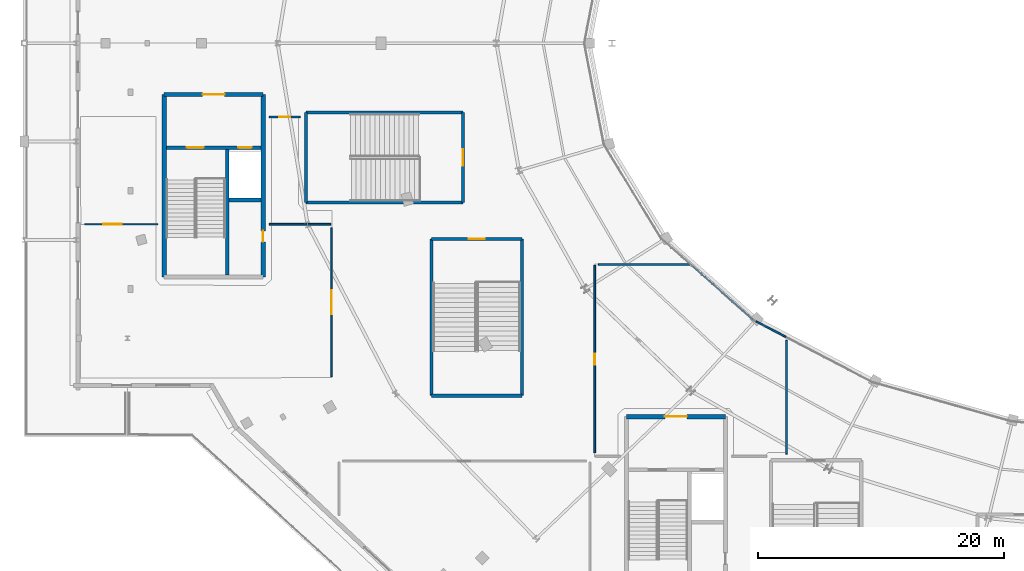
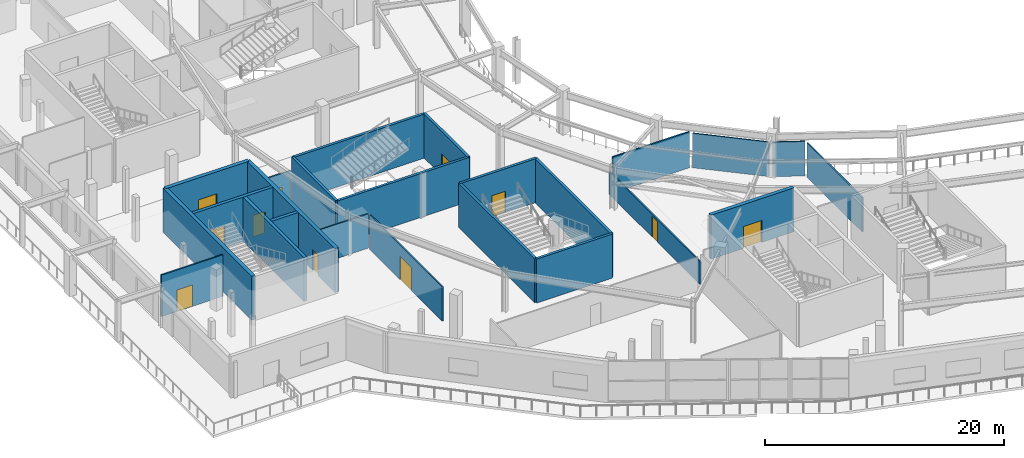
# One storey, part 75 of 107: 24 walls, 11 doors, 11 openings.
"""IFC4 building model written with IfcOpenShell, lengths in metres."""

from ifc_helpers import new_model, si_unit, direction, frame, frame_2d, origin, place, context, subcontext, project, spatial, rectangle, extrude, material, layer, layer_set, type_object, element, fill, save


model = new_model("IFC4")

# Units and contexts
model_context = context("Model", 3, precision=1e-05, world=origin(), true_north=direction((0.0, 1.0)))
body_context = subcontext(model_context, "Body", "Model", "MODEL_VIEW")
ifc_project = project(units=[si_unit("LENGTHUNIT", "METRE"), si_unit("AREAUNIT", "SQUARE_METRE"), si_unit("VOLUMEUNIT", "CUBIC_METRE"), si_unit("PLANEANGLEUNIT", "RADIAN"), si_unit("MASSUNIT", "GRAM", prefix="KILO")], contexts=[model_context])

# Site, building, storey
site_placement = place(None, origin())
site = spatial("IfcSite", under=ifc_project, at=site_placement, CompositionType="ELEMENT")
building_placement = place(site_placement, origin())
building = spatial("IfcBuilding", under=site, at=building_placement, Name="Kalgoora Escarpment Arena", CompositionType="ELEMENT")
storey_placement = place(building_placement, frame((0.0, 0.0, 5.39990234375)))
storey = spatial("IfcBuildingStorey", under=building, at=storey_placement, Name="L01", CompositionType="ELEMENT", Elevation=5.39990234375)

# Wall, opening, door
ifc_material_1 = material(Name="Concrete N50 (fc' 50 MPa)", Category="concrete")
ifc_layer_1 = layer(ifc_material_1, 0.35009765625)
ifc_layer_set_1 = layer_set([ifc_layer_1], Name="WAL-CORE-350")
wall_type_1 = type_object("IfcWallType", Name="WAL-CORE-350", PredefinedType="SHEAR", material=ifc_layer_set_1)
wall_1_placement = place(storey_placement, frame((11.375, 59.824951171875, 0.0), z_axis=(0.0, 0.0, 1.0), x_axis=(1.0, 0.0, 0.0)))
wall_1 = element("IfcWall", 1, at=wall_1_placement, inside=storey, type_object=wall_type_1, Name="Core C2 L01 north lobby wall", PredefinedType="SHEAR", context=body_context, shape_type="SweptSolid", body=[
    extrude(rectangle(XDim=8.050048828125, YDim=0.35009765625, at=frame_2d((4.02490234375, 0.0))), origin(), (0.0, 0.0, 1.0), 4.5),
])
opening_1_placement = place(wall_1_placement, frame((3.125, 0.0, 0.0)))
opening_1 = element("IfcOpeningElement", 2, at=opening_1_placement, cuts=wall_1, Name="Opening FD-C2L", PredefinedType="OPENING", context=body_context, shape_type="SweptSolid", body=[
    extrude(rectangle(XDim=1.800048828125, YDim=2.25, at=frame_2d((0.89990234375, 1.125))), frame((0.0, 0.18505859375, 0.0), z_axis=(0.0, -1.0, 0.0), x_axis=(1.0, 0.0, 0.0)), (0.0, 0.0, 1.0), 0.3701171875),
])
ifc_material_2 = material(Name="Double fire-rated smoke-seal lobby door")
door_type_1 = type_object("IfcDoorType", Name="DR-LOBBY-1800", OperationType="NOTDEFINED", PredefinedType="DOOR", material=ifc_material_2)
door_1_placement = place(opening_1_placement, origin())
door_1 = element("IfcDoor", 3, at=door_1_placement, inside=storey, type_object=door_type_1, Name="Core C2 L01 smoke-lobby fire door", OperationType="DOUBLE_DOOR_SINGLE_SWING", OverallHeight=2.25, OverallWidth=1.800048828125, PredefinedType="DOOR", context=body_context, shape_type="SweptSolid", body=[
    extrude(rectangle(XDim=1.800048828125, YDim=2.25, at=frame_2d((0.89990234375, 1.125))), frame((0.0, 0.02490234375, 0.0), z_axis=(0.0, -1.0, 0.0), x_axis=(1.0, 0.0, 0.0)), (0.0, 0.0, 1.0), 0.050048828125),
])
fill(opening_1, door_1)

# Wall
wall_2_placement = place(storey_placement, frame((11.375, 44.97509765625, 0.0), z_axis=(0.0, 0.0, 1.0), x_axis=(0.0, 1.0, 0.0)))
element("IfcWall", 4, at=wall_2_placement, inside=storey, type_object=wall_type_1, Name="Core C2 L01 west shear wall", PredefinedType="SHEAR", context=body_context, shape_type="SweptSolid", body=[
    extrude(rectangle(XDim=14.849853515625, YDim=0.35009765625, at=frame_2d((7.4248046875, 0.0))), origin(), (0.0, 0.0, 1.0), 4.5),
])

# Wall, opening, door
wall_3_placement = place(storey_placement, frame((19.425048828125, 44.97509765625, 0.0), z_axis=(0.0, 0.0, 1.0), x_axis=(0.0, 1.0, 0.0)))
wall_3 = element("IfcWall", 5, at=wall_3_placement, inside=storey, type_object=wall_type_1, Name="Core C2 L01 east shear wall", PredefinedType="SHEAR", context=body_context, shape_type="SweptSolid", body=[
    extrude(rectangle(XDim=14.849853515625, YDim=0.35009765625, at=frame_2d((7.4248046875, 0.0))), origin(), (0.0, 0.0, 1.0), 4.5),
])
opening_2_placement = place(wall_3_placement, frame((2.85498046875, 0.0, 0.0)))
opening_2 = element("IfcOpeningElement", 6, at=opening_2_placement, cuts=wall_3, Name="Opening FD-C2R", PredefinedType="OPENING", context=body_context, shape_type="SweptSolid", body=[
    extrude(rectangle(XDim=0.89990234375, YDim=2.10009765625, at=frame_2d((0.449951171875, 1.050048828125))), frame((0.0, 0.18505859375, 0.0), z_axis=(0.0, -1.0, 0.0), x_axis=(1.0, 0.0, 0.0)), (0.0, 0.0, 1.0), 0.3701171875),
])
ifc_material_3 = material(Name="Fire-rated steel riser access door", Category="steel")
door_type_2 = type_object("IfcDoorType", Name="DR-RISER-0900", OperationType="NOTDEFINED", PredefinedType="DOOR", material=ifc_material_3)
door_2_placement = place(opening_2_placement, origin())
door_2 = element("IfcDoor", 7, at=door_2_placement, inside=storey, type_object=door_type_2, Name="Core C2 L01 riser cupboard access door", OperationType="SINGLE_SWING_RIGHT", OverallHeight=2.10009765625, OverallWidth=0.89990234375, PredefinedType="DOOR", context=body_context, shape_type="SweptSolid", body=[
    extrude(rectangle(XDim=0.89990234375, YDim=2.10009765625, at=frame_2d((0.449951171875, 1.050048828125))), frame((0.0, 0.02490234375, 0.0), z_axis=(0.0, -1.0, 0.0), x_axis=(1.0, 0.0, 0.0)), (0.0, 0.0, 1.0), 0.050048828125),
])
fill(opening_2, door_2)

wall_4_placement = place(storey_placement, frame((48.97509765625, 33.625, 0.0), z_axis=(0.0, 0.0, 1.0), x_axis=(1.0, 0.0, 0.0)))
wall_4 = element("IfcWall", 8, at=wall_4_placement, inside=storey, type_object=wall_type_1, Name="Core C5 L01 north lobby wall", PredefinedType="SHEAR", context=body_context, shape_type="SweptSolid", body=[
    extrude(rectangle(XDim=8.0498046875, YDim=0.35009765625, at=frame_2d((4.02490234375, 0.0))), origin(), (0.0, 0.0, 1.0), 4.5),
])
opening_3_placement = place(wall_4_placement, frame((3.125, 0.0, 0.0)))
opening_3 = element("IfcOpeningElement", 9, at=opening_3_placement, cuts=wall_4, Name="Opening FD-C5L", PredefinedType="OPENING", context=body_context, shape_type="SweptSolid", body=[
    extrude(rectangle(XDim=1.800048828125, YDim=2.25, at=frame_2d((0.89990234375, 1.125))), frame((0.0, 0.18505859375, 0.0), z_axis=(0.0, -1.0, 0.0), x_axis=(1.0, 0.0, 0.0)), (0.0, 0.0, 1.0), 0.3701171875),
])
door_3_placement = place(opening_3_placement, origin())
door_3 = element("IfcDoor", 10, at=door_3_placement, inside=storey, type_object=door_type_1, Name="Core C5 L01 smoke-lobby fire door", OperationType="DOUBLE_DOOR_SINGLE_SWING", OverallHeight=2.25, OverallWidth=1.800048828125, PredefinedType="DOOR", context=body_context, shape_type="SweptSolid", body=[
    extrude(rectangle(XDim=1.800048828125, YDim=2.25, at=frame_2d((0.89990234375, 1.125))), frame((0.0, 0.02490234375, 0.0), z_axis=(0.0, -1.0, 0.0), x_axis=(1.0, 0.0, 0.0)), (0.0, 0.0, 1.0), 0.050048828125),
])
fill(opening_3, door_3)

ifc_material_4 = material(Name="Hospitality acoustic drywall partition", Category="gypsum")
ifc_layer_2 = layer(ifc_material_4, 0.135009765625)
ifc_layer_set_2 = layer_set([ifc_layer_2], Name="WAL-DIN-135")
wall_type_2 = type_object("IfcWallType", Name="WAL-DIN-135", PredefinedType="PARTITIONING", material=ifc_layer_set_2)
wall_5_placement = place(storey_placement, frame((4.89990234375, 49.27490234375, 0.0), z_axis=(0.0, 0.0, 1.0), x_axis=(1.0, 0.0, 0.0)))
wall_5 = element("IfcWall", 11, at=wall_5_placement, inside=storey, type_object=wall_type_2, Name="L01 Arena Cafe partition wall", PredefinedType="PARTITIONING", context=body_context, shape_type="SweptSolid", body=[
    extrude(rectangle(XDim=5.97509765625, YDim=0.135009765625, at=frame_2d((2.987548828125, 0.0))), origin(), (0.0, 0.0, 1.0), 4.25),
])
opening_4_placement = place(wall_5_placement, frame((1.521484375, 0.0, 0.0)))
opening_4 = element("IfcOpeningElement", 12, at=opening_4_placement, cuts=wall_5, Name="Opening FD-I056", PredefinedType="OPENING", context=body_context, shape_type="SweptSolid", body=[
    extrude(rectangle(XDim=1.5, YDim=2.199951171875, at=frame_2d((0.75, 1.10009765625))), frame((0.0, 0.077392578125, 0.0), z_axis=(0.0, -1.0, 0.0), x_axis=(1.0, 0.0, 0.0)), (0.0, 0.0, 1.0), 0.155029296875),
])
ifc_material_5 = material(Name="Stainless-clad fire-rated kitchen double door")
door_type_3 = type_object("IfcDoorType", Name="DR-KIT-1500", OperationType="NOTDEFINED", PredefinedType="DOOR", material=ifc_material_5)
door_4_placement = place(opening_4_placement, origin())
door_4 = element("IfcDoor", 13, at=door_4_placement, inside=storey, type_object=door_type_3, Name="Arena Cafe 2 entrance door", OperationType="DOUBLE_DOOR_SINGLE_SWING", OverallHeight=2.199951171875, OverallWidth=1.5, PredefinedType="DOOR", context=body_context, shape_type="SweptSolid", body=[
    extrude(rectangle(XDim=1.5, YDim=2.199951171875, at=frame_2d((0.75, 1.10009765625))), frame((0.0, 0.02490234375, 0.0), z_axis=(0.0, -1.0, 0.0), x_axis=(1.0, 0.0, 0.0)), (0.0, 0.0, 1.0), 0.050048828125),
])
fill(opening_4, door_4)

# Wall
wall_6_placement = place(storey_placement, frame((19.925048828125, 49.27490234375, 0.0), z_axis=(0.0, 0.0, 1.0), x_axis=(1.0, 0.0, 0.0)))
element("IfcWall", 14, at=wall_6_placement, inside=storey, type_object=wall_type_2, Name="L01 Arena Cafe partition wall", PredefinedType="PARTITIONING", context=body_context, shape_type="SweptSolid", body=[
    extrude(rectangle(XDim=4.994873046875, YDim=0.135009765625, at=frame_2d((2.49755859375, 0.0))), origin(), (0.0, 0.0, 1.0), 3.505126953125),
])

# Wall, opening, door
wall_7_placement = place(storey_placement, frame((25.0, 48.990234375, 0.0), z_axis=(0.0, 0.0, 1.0), x_axis=(0.0, -1.0, 0.0)))
wall_7 = element("IfcWall", 15, at=wall_7_placement, inside=storey, type_object=wall_type_2, Name="L01 Arena Cafe partition wall", PredefinedType="PARTITIONING", context=body_context, shape_type="SweptSolid", body=[
    extrude(rectangle(XDim=12.1103515625, YDim=0.135009765625, at=frame_2d((6.05517578125, 0.0))), origin(), (0.0, 0.0, 1.0), 3.51513671875),
])
opening_5_placement = place(wall_7_placement, frame((5.080078125, 0.0, 0.0)))
opening_5 = element("IfcOpeningElement", 16, at=opening_5_placement, cuts=wall_7, Name="Opening FD-I055", PredefinedType="OPENING", context=body_context, shape_type="SweptSolid", body=[
    extrude(rectangle(XDim=1.949951171875, YDim=2.39990234375, at=frame_2d((0.97509765625, 1.199951171875))), frame((0.0, 0.077392578125, 0.0), z_axis=(0.0, -1.0, 0.0), x_axis=(1.0, 0.0, 0.0)), (0.0, 0.0, 1.0), 0.155029296875),
])
ifc_material_6 = material(Name="Glazed champagne-framed hospitality double door")
door_type_4 = type_object("IfcDoorType", Name="DR-CLUB-1950", OperationType="NOTDEFINED", PredefinedType="DOOR", material=ifc_material_6)
door_5_placement = place(opening_5_placement, origin())
door_5 = element("IfcDoor", 17, at=door_5_placement, inside=storey, type_object=door_type_4, Name="Arena Cafe entrance door", OperationType="DOUBLE_DOOR_SINGLE_SWING", OverallHeight=2.39990234375, OverallWidth=1.949951171875, PredefinedType="DOOR", context=body_context, shape_type="SweptSolid", body=[
    extrude(rectangle(XDim=1.949951171875, YDim=2.39990234375, at=frame_2d((0.97509765625, 1.199951171875))), frame((0.0, 0.02490234375, 0.0), z_axis=(0.0, -1.0, 0.0), x_axis=(1.0, 0.0, 0.0)), (0.0, 0.0, 1.0), 0.050048828125),
])
fill(opening_5, door_5)

wall_8_placement = place(storey_placement, frame((19.925048828125, 58.0, 0.0), z_axis=(0.0, 0.0, 1.0), x_axis=(1.0, 0.0, 0.0)))
wall_8 = element("IfcWall", 18, at=wall_8_placement, inside=storey, type_object=wall_type_2, Name="L01 Arena Cafe 3 partition wall", PredefinedType="PARTITIONING", context=body_context, shape_type="SweptSolid", body=[
    extrude(rectangle(XDim=2.5, YDim=0.135009765625, at=frame_2d((1.25, 0.0))), origin(), (0.0, 0.0, 1.0), 3.505126953125),
])
opening_6_placement = place(wall_8_placement, frame((0.800048828125, 0.0, 0.0)))
opening_6 = element("IfcOpeningElement", 19, at=opening_6_placement, cuts=wall_8, Name="Opening FD-I057", PredefinedType="OPENING", context=body_context, shape_type="SweptSolid", body=[
    extrude(rectangle(XDim=0.89990234375, YDim=2.10009765625, at=frame_2d((0.449951171875, 1.050048828125))), frame((0.0, 0.077392578125, 0.0), z_axis=(0.0, -1.0, 0.0), x_axis=(1.0, 0.0, 0.0)), (0.0, 0.0, 1.0), 0.155029296875),
])
door_6_placement = place(opening_6_placement, origin())
door_6 = element("IfcDoor", 20, at=door_6_placement, inside=storey, type_object=door_type_2, Name="Arena Cafe 3 entrance door", OperationType="SINGLE_SWING_RIGHT", OverallHeight=2.10009765625, OverallWidth=0.89990234375, PredefinedType="DOOR", context=body_context, shape_type="SweptSolid", body=[
    extrude(rectangle(XDim=0.89990234375, YDim=2.10009765625, at=frame_2d((0.449951171875, 1.050048828125))), frame((0.0, 0.02490234375, 0.0), z_axis=(0.0, -1.0, 0.0), x_axis=(1.0, 0.0, 0.0)), (0.0, 0.0, 1.0), 0.050048828125),
])
fill(opening_6, door_6)

wall_9_placement = place(storey_placement, frame((46.39990234375, 30.684814453125, 0.0), z_axis=(0.0, 0.0, 1.0), x_axis=(0.0, 1.0, 0.0)))
wall_9 = element("IfcWall", 21, at=wall_9_placement, inside=storey, type_object=wall_type_2, Name="L01 Escarpment Bistro Bar partition wall", PredefinedType="PARTITIONING", context=body_context, shape_type="SweptSolid", body=[
    extrude(rectangle(XDim=15.235107421875, YDim=0.135009765625, at=frame_2d((7.61767578125, 0.0))), origin(), (0.0, 0.0, 1.0), 2.322998046875),
])
opening_7_placement = place(wall_9_placement, frame((7.16748046875, 0.0, 0.0)))
opening_7 = element("IfcOpeningElement", 22, at=opening_7_placement, cuts=wall_9, Name="Opening FD-I059", PredefinedType="OPENING", context=body_context, shape_type="SweptSolid", body=[
    extrude(rectangle(XDim=0.89990234375, YDim=2.10009765625, at=frame_2d((0.449951171875, 1.050048828125))), frame((0.0, 0.077392578125, 0.0), z_axis=(0.0, -1.0, 0.0), x_axis=(1.0, 0.0, 0.0)), (0.0, 0.0, 1.0), 0.155029296875),
])
door_7_placement = place(opening_7_placement, origin())
door_7 = element("IfcDoor", 23, at=door_7_placement, inside=storey, type_object=door_type_2, Name="Escarpment Bistro Bar entrance door", OperationType="SINGLE_SWING_RIGHT", OverallHeight=2.10009765625, OverallWidth=0.89990234375, PredefinedType="DOOR", context=body_context, shape_type="SweptSolid", body=[
    extrude(rectangle(XDim=0.89990234375, YDim=2.10009765625, at=frame_2d((0.449951171875, 1.050048828125))), frame((0.0, 0.02490234375, 0.0), z_axis=(0.0, -1.0, 0.0), x_axis=(1.0, 0.0, 0.0)), (0.0, 0.0, 1.0), 0.050048828125),
])
fill(opening_7, door_7)

# Walls
wall_10_placement = place(storey_placement, frame((46.684814453125, 46.0, 0.0), z_axis=(0.0, 0.0, 1.0), x_axis=(1.0, 0.0, 0.0)))
element("IfcWall", 24, at=wall_10_placement, inside=storey, type_object=wall_type_2, Name="L01 Escarpment Bistro Bar partition wall", PredefinedType="PARTITIONING", context=body_context, shape_type="SweptSolid", body=[
    extrude(rectangle(XDim=7.435546875, YDim=0.135009765625, at=frame_2d((3.7177734375, 0.0))), origin(), (0.0, 0.0, 1.0), 3.68212890625),
])
wall_11_placement = place(storey_placement, frame((54.37548828125, 45.845458984375, 0.0), z_axis=(0.0, 0.0, 1.0), x_axis=(0.749487139649, -0.662018902677, 0.0)))
element("IfcWall", 25, at=wall_11_placement, inside=storey, type_object=wall_type_2, Name="L01 Escarpment Bistro Bar partition wall", PredefinedType="PARTITIONING", context=body_context, shape_type="SweptSolid", body=[
    extrude(rectangle(XDim=6.52294921875, YDim=0.135009765625, at=frame_2d((3.261474609375, 0.0))), origin(), (0.0, 0.0, 1.0), 3.51513671875),
])
wall_12_placement = place(storey_placement, frame((59.5205078125, 41.371826171875, 0.0), z_axis=(0.0, 0.0, 1.0), x_axis=(0.886860370935, -0.462037533611, 0.0)))
element("IfcWall", 26, at=wall_12_placement, inside=storey, type_object=wall_type_2, Name="L01 Escarpment Bistro Bar partition wall", PredefinedType="PARTITIONING", context=body_context, shape_type="SweptSolid", body=[
    extrude(rectangle(XDim=2.716064453125, YDim=0.135009765625, at=frame_2d((1.35791015625, 0.0))), origin(), (0.0, 0.0, 1.0), 3.51513671875),
])
wall_13_placement = place(storey_placement, frame((62.0, 39.828857421875, 0.0), z_axis=(0.0, 0.0, 1.0), x_axis=(0.0, -1.0, 0.0)))
element("IfcWall", 27, at=wall_13_placement, inside=storey, type_object=wall_type_2, Name="L01 Escarpment Bistro Bar partition wall", PredefinedType="PARTITIONING", context=body_context, shape_type="SweptSolid", body=[
    extrude(rectangle(XDim=9.25390625, YDim=0.135009765625, at=frame_2d((4.626953125, 0.0))), origin(), (0.0, 0.0, 1.0), 3.51513671875),
])

# Wall, openings, doors
ifc_material_7 = material(Name="Concrete N50 (fc' 50 MPa)", Category="concrete")
ifc_layer_3 = layer(ifc_material_7, 0.300048828125)
ifc_layer_set_3 = layer_set([ifc_layer_3], Name="WAL-SHAFT-300")
wall_type_3 = type_object("IfcWallType", Name="WAL-SHAFT-300", PredefinedType="SHEAR", material=ifc_layer_set_3)
wall_14_placement = place(storey_placement, frame((11.550048828125, 55.5, 0.0), z_axis=(0.0, 0.0, 1.0), x_axis=(1.0, 0.0, 0.0)))
wall_14 = element("IfcWall", 28, at=wall_14_placement, inside=storey, type_object=wall_type_3, Name="Core C2 L01 lobby shaft wall", PredefinedType="SHEAR", context=body_context, shape_type="SweptSolid", body=[
    extrude(rectangle(XDim=7.699951171875, YDim=0.300048828125, at=frame_2d((3.85009765625, 0.0))), origin(), (0.0, 0.0, 1.0), 4.5),
])
opening_8_placement = place(wall_14_placement, frame((1.64990234375, 0.0, 0.0)))
opening_8 = element("IfcOpeningElement", 29, at=opening_8_placement, cuts=wall_14, Name="Opening FD-ST02", PredefinedType="OPENING", context=body_context, shape_type="SweptSolid", body=[
    extrude(rectangle(XDim=1.39990234375, YDim=2.199951171875, at=frame_2d((0.699951171875, 1.10009765625))), frame((0.0, 0.159912109375, 0.0), z_axis=(0.0, -1.0, 0.0), x_axis=(1.0, 0.0, 0.0)), (0.0, 0.0, 1.0), 0.320068359375),
])
opening_9_placement = place(wall_14_placement, frame((5.85009765625, 0.0, 0.0)))
opening_9 = element("IfcOpeningElement", 30, at=opening_9_placement, cuts=wall_14, Name="Opening LD-EL2", PredefinedType="OPENING", context=body_context, shape_type="SweptSolid", body=[
    extrude(rectangle(XDim=1.10009765625, YDim=2.199951171875, at=frame_2d((0.550048828125, 1.10009765625))), frame((0.0, 0.159912109375, 0.0), z_axis=(0.0, -1.0, 0.0), x_axis=(1.0, 0.0, 0.0)), (0.0, 0.0, 1.0), 0.320068359375),
])
ifc_material_8 = material(Name="Brushed stainless steel sliding lift landing door", Category="steel")
door_type_5 = type_object("IfcDoorType", Name="DR-LD-EL2", OperationType="SLIDING_TO_LEFT", PredefinedType="DOOR", material=ifc_material_8)
door_8_placement = place(opening_9_placement, origin())
door_8 = element("IfcDoor", 31, at=door_8_placement, inside=storey, type_object=door_type_5, Name="Lift EL2 L01 sliding landing door", OperationType="SLIDING_TO_LEFT", OverallHeight=2.199951171875, OverallWidth=1.10009765625, PredefinedType="DOOR", context=body_context, shape_type="SweptSolid", body=[
    extrude(rectangle(XDim=1.10009765625, YDim=2.199951171875, at=frame_2d((0.550048828125, 1.10009765625))), frame((0.0, 0.02490234375, 0.0), z_axis=(0.0, -1.0, 0.0), x_axis=(1.0, 0.0, 0.0)), (0.0, 0.0, 1.0), 0.050048828125),
])
fill(opening_9, door_8)
ifc_material_9 = material(Name="Fire-rated steel stair leaf with vision panel", Category="steel")
door_type_6 = type_object("IfcDoorType", Name="DR-STAIR-1400", OperationType="NOTDEFINED", PredefinedType="DOOR", material=ifc_material_9)
door_9_placement = place(opening_8_placement, origin())
door_9 = element("IfcDoor", 32, at=door_9_placement, inside=storey, type_object=door_type_6, Name="Fire stair ST02 L01 fire door", OperationType="SINGLE_SWING_LEFT", OverallHeight=2.199951171875, OverallWidth=1.39990234375, PredefinedType="DOOR", context=body_context, shape_type="SweptSolid", body=[
    extrude(rectangle(XDim=1.39990234375, YDim=2.199951171875, at=frame_2d((0.699951171875, 1.10009765625))), frame((0.0, 0.02490234375, 0.0), z_axis=(0.0, -1.0, 0.0), x_axis=(1.0, 0.0, 0.0)), (0.0, 0.0, 1.0), 0.050048828125),
])
fill(opening_8, door_9)

# Walls
wall_15_placement = place(storey_placement, frame((16.5, 45.14990234375, 0.0), z_axis=(0.0, 0.0, 1.0), x_axis=(0.0, 1.0, 0.0)))
element("IfcWall", 33, at=wall_15_placement, inside=storey, type_object=wall_type_3, Name="Core C2 L01 stair-lift spine wall", PredefinedType="SHEAR", context=body_context, shape_type="SweptSolid", body=[
    extrude(rectangle(XDim=10.35009765625, YDim=0.300048828125, at=frame_2d((5.175048828125, 0.0))), origin(), (0.0, 0.0, 1.0), 4.5),
])
wall_16_placement = place(storey_placement, frame((16.64990234375, 51.25, 0.0), z_axis=(0.0, 0.0, 1.0), x_axis=(1.0, 0.0, 0.0)))
element("IfcWall", 34, at=wall_16_placement, inside=storey, type_object=wall_type_3, Name="Core C2 L01 lift-riser divider wall", PredefinedType="SHEAR", context=body_context, shape_type="SweptSolid", body=[
    extrude(rectangle(XDim=2.60009765625, YDim=0.300048828125, at=frame_2d((1.300048828125, 0.0))), origin(), (0.0, 0.0, 1.0), 4.5),
])
ifc_material_10 = material(Name="Concrete N50 (fc' 50 MPa)", Category="concrete")
ifc_layer_4 = layer(ifc_material_10, 0.25)
ifc_layer_set_4 = layer_set([ifc_layer_4], Name="WAL-STAIR-250")
wall_type_4 = type_object("IfcWallType", Name="WAL-STAIR-250", PredefinedType="SHEAR", material=ifc_layer_set_4)
for number, where, z_axis, x_axis, name in (
    (35, (22.925048828125, 51.02490234375, 0.0), (0.0, 0.0, 1.0), (1.0, 0.0, 0.0), "Exit stair ST18 L01 south wall"),
    (36, (22.925048828125, 58.375, 0.0), (0.0, 0.0, 1.0), (1.0, 0.0, 0.0), "Exit stair ST18 L01 north wall"),
):
    element("IfcWall", number, at=place(storey_placement, frame(where, z_axis=z_axis, x_axis=x_axis)), inside=storey, type_object=wall_type_4, Name=name, PredefinedType="SHEAR", context=body_context, shape_type="SweptSolid", body=[
        extrude(rectangle(XDim=12.75, YDim=0.25, at=frame_2d((6.375, 0.0))), origin(), (0.0, 0.0, 1.0), 4.5),
    ])
wall_17_placement = place(storey_placement, frame((22.925048828125, 51.02490234375, 0.0), z_axis=(0.0, 0.0, 1.0), x_axis=(0.0, 1.0, 0.0)))
element("IfcWall", 37, at=wall_17_placement, inside=storey, type_object=wall_type_4, Name="Exit stair ST18 L01 west wall", PredefinedType="SHEAR", context=body_context, shape_type="SweptSolid", body=[
    extrude(rectangle(XDim=7.35009765625, YDim=0.25, at=frame_2d((3.675048828125, 0.0))), origin(), (0.0, 0.0, 1.0), 4.5),
])

# Wall, opening, door
wall_18_placement = place(storey_placement, frame((35.675048828125, 51.02490234375, 0.0), z_axis=(0.0, 0.0, 1.0), x_axis=(0.0, 1.0, 0.0)))
wall_18 = element("IfcWall", 38, at=wall_18_placement, inside=storey, type_object=wall_type_4, Name="Exit stair ST18 L01 east wall", PredefinedType="SHEAR", context=body_context, shape_type="SweptSolid", body=[
    extrude(rectangle(XDim=7.35009765625, YDim=0.25, at=frame_2d((3.675048828125, 0.0))), origin(), (0.0, 0.0, 1.0), 4.5),
])
opening_10_placement = place(wall_18_placement, frame((3.014892578125, 0.0, 0.0)))
opening_10 = element("IfcOpeningElement", 39, at=opening_10_placement, cuts=wall_18, Name="Opening FD-ST18", PredefinedType="OPENING", context=body_context, shape_type="SweptSolid", body=[
    extrude(rectangle(XDim=1.320068359375, YDim=2.199951171875, at=frame_2d((0.66015625, 1.10009765625))), frame((0.0, 0.135009765625, 0.0), z_axis=(0.0, -1.0, 0.0), x_axis=(1.0, 0.0, 0.0)), (0.0, 0.0, 1.0), 0.27001953125),
])
ifc_material_11 = material(Name="Fire-rated steel stair leaf with vision panel", Category="steel")
door_type_7 = type_object("IfcDoorType", Name="DR-STAIR-1320", OperationType="NOTDEFINED", PredefinedType="DOOR", material=ifc_material_11)
door_10_placement = place(opening_10_placement, origin())
door_10 = element("IfcDoor", 40, at=door_10_placement, inside=storey, type_object=door_type_7, Name="Fire-isolated stair ST18 L01 egress door", OperationType="SINGLE_SWING_LEFT", OverallHeight=2.199951171875, OverallWidth=1.320068359375, PredefinedType="DOOR", context=body_context, shape_type="SweptSolid", body=[
    extrude(rectangle(XDim=1.320068359375, YDim=2.199951171875, at=frame_2d((0.66015625, 1.10009765625))), frame((0.0, 0.02490234375, 0.0), z_axis=(0.0, -1.0, 0.0), x_axis=(1.0, 0.0, 0.0)), (0.0, 0.0, 1.0), 0.050048828125),
])
fill(opening_10, door_10)

# Wall
wall_19_placement = place(storey_placement, frame((33.125, 35.324951171875, 0.0), z_axis=(0.0, 0.0, 1.0), x_axis=(1.0, 0.0, 0.0)))
element("IfcWall", 41, at=wall_19_placement, inside=storey, type_object=wall_type_4, Name="Exit stair ST20 L01 south wall", PredefinedType="SHEAR", context=body_context, shape_type="SweptSolid", body=[
    extrude(rectangle(XDim=7.35009765625, YDim=0.25, at=frame_2d((3.675048828125, 0.0))), origin(), (0.0, 0.0, 1.0), 4.5),
])

# Wall, opening, door
wall_20_placement = place(storey_placement, frame((33.125, 48.074951171875, 0.0), z_axis=(0.0, 0.0, 1.0), x_axis=(1.0, 0.0, 0.0)))
wall_20 = element("IfcWall", 42, at=wall_20_placement, inside=storey, type_object=wall_type_4, Name="Exit stair ST20 L01 north wall", PredefinedType="SHEAR", context=body_context, shape_type="SweptSolid", body=[
    extrude(rectangle(XDim=7.35009765625, YDim=0.25, at=frame_2d((3.675048828125, 0.0))), origin(), (0.0, 0.0, 1.0), 4.5),
])
opening_11_placement = place(wall_20_placement, frame((3.014892578125, 0.0, 0.0)))
opening_11 = element("IfcOpeningElement", 43, at=opening_11_placement, cuts=wall_20, Name="Opening FD-ST20", PredefinedType="OPENING", context=body_context, shape_type="SweptSolid", body=[
    extrude(rectangle(XDim=1.320068359375, YDim=2.199951171875, at=frame_2d((0.66015625, 1.10009765625))), frame((0.0, 0.135009765625, 0.0), z_axis=(0.0, -1.0, 0.0), x_axis=(1.0, 0.0, 0.0)), (0.0, 0.0, 1.0), 0.27001953125),
])
door_11_placement = place(opening_11_placement, origin())
door_11 = element("IfcDoor", 44, at=door_11_placement, inside=storey, type_object=door_type_7, Name="Fire-isolated stair ST20 L01 egress door", OperationType="SINGLE_SWING_LEFT", OverallHeight=2.199951171875, OverallWidth=1.320068359375, PredefinedType="DOOR", context=body_context, shape_type="SweptSolid", body=[
    extrude(rectangle(XDim=1.320068359375, YDim=2.199951171875, at=frame_2d((0.66015625, 1.10009765625))), frame((0.0, 0.02490234375, 0.0), z_axis=(0.0, -1.0, 0.0), x_axis=(1.0, 0.0, 0.0)), (0.0, 0.0, 1.0), 0.050048828125),
])
fill(opening_11, door_11)

# Walls
for number, where, z_axis, x_axis, name in (
    (45, (33.125, 35.324951171875, 0.0), (0.0, 0.0, 1.0), (0.0, 1.0, 0.0), "Exit stair ST20 L01 west wall"),
    (46, (40.47509765625, 35.324951171875, 0.0), (0.0, 0.0, 1.0), (0.0, 1.0, 0.0), "Exit stair ST20 L01 east wall"),
):
    element("IfcWall", number, at=place(storey_placement, frame(where, z_axis=z_axis, x_axis=x_axis)), inside=storey, type_object=wall_type_4, Name=name, PredefinedType="SHEAR", context=body_context, shape_type="SweptSolid", body=[
        extrude(rectangle(XDim=12.75, YDim=0.25, at=frame_2d((6.375, 0.0))), origin(), (0.0, 0.0, 1.0), 4.5),
    ])

save(model, "model.ifc")
